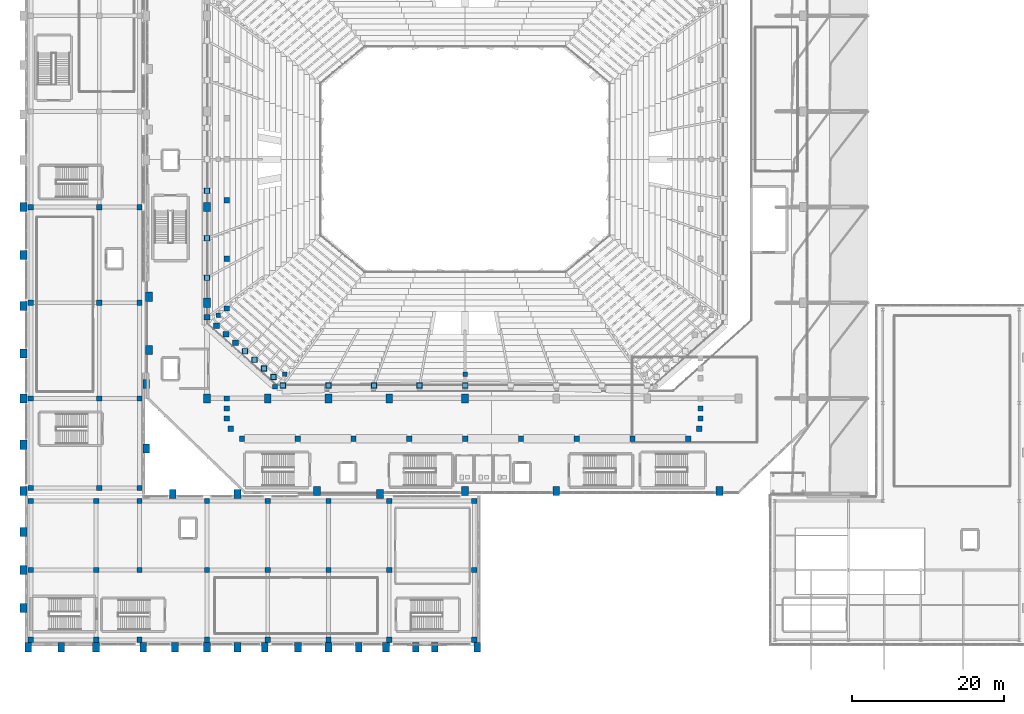
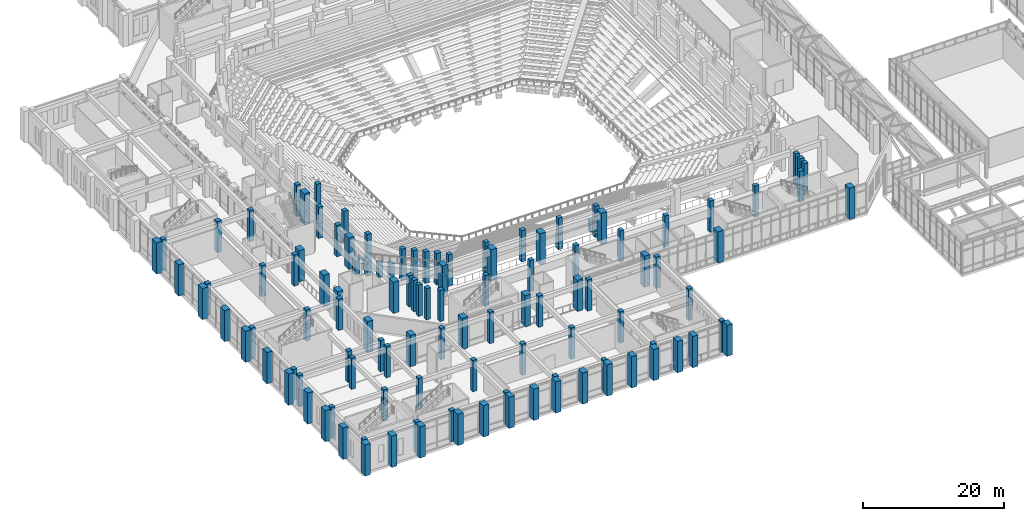
# One storey, part 1 of 159: 130 columns.
"""IFC4 building model written with IfcOpenShell, lengths in metres."""

from ifc_helpers import new_model, si_unit, derived_unit, direction, frame, origin, origin_2d, place, context, subcontext, project, spatial, rectangle, extrude, material, material_profile, profile_set, type_object, element, save


model = new_model("IFC4")

# Units and contexts
model_context = context("Model", 3, precision=1e-05, world=origin(), true_north=direction((0.0, 1.0)))
body_context = subcontext(model_context, "Body", "Model", "MODEL_VIEW")
ifc_project = project(units=[si_unit("LENGTHUNIT", "METRE"), si_unit("AREAUNIT", "SQUARE_METRE"), si_unit("VOLUMEUNIT", "CUBIC_METRE"), si_unit("PLANEANGLEUNIT", "RADIAN"), si_unit("MASSUNIT", "GRAM", prefix="KILO"), derived_unit("THERMALTRANSMITTANCEUNIT", [(si_unit("MASSUNIT", "GRAM", prefix="KILO"), 1), (si_unit("TIMEUNIT", "SECOND"), -3), (si_unit("THERMODYNAMICTEMPERATUREUNIT", "KELVIN"), -1)])], contexts=[model_context])

# Site, building, storey
site_placement = place(None, origin())
site = spatial("IfcSite", under=ifc_project, at=site_placement, CompositionType="ELEMENT")
building_placement = place(site_placement, origin())
building = spatial("IfcBuilding", under=site, at=building_placement, Name="Valcora Ridge Arena", CompositionType="ELEMENT")
storey_placement = place(building_placement, frame((0.0, 0.0, 6.0)))
storey = spatial("IfcBuildingStorey", under=building, at=storey_placement, Name="L01", CompositionType="ELEMENT", Elevation=6.0)

# Columns
ifc_material_1 = material(Name="Bush-hammered Andean travertine architectural concrete C45/55", Category="masonry")
ifc_material_profile_1 = material_profile(ifc_material_1, rectangle(XDim=0.89990234375, YDim=1.199951171875, at=origin_2d()), Name="RC 900x1200")
ifc_profile_set_1 = profile_set([ifc_material_profile_1], Name="Bush-hammered Andean travertine architectural concrete C45/55")
column_type_1 = type_object("IfcColumnType", Name="TY-COLUMN-C-BUTT-1200", PredefinedType="PILASTER", material=ifc_profile_set_1)
for number, where, z_axis, x_axis, name in (
    (1, (38.5, 20.39990234375, 0.0), (0.0, 0.0, 1.0), (1.0, 0.0, 0.0), "C-BUTT-1200 COL-C-BUTT-1200-0003"),
    (2, (58.0, 20.39990234375, 0.0), (0.0, 0.0, 1.0), (1.0, 0.0, 0.0), "C-BUTT-1200 COL-C-BUTT-1200-0007"),
    (3, (70.0, 20.39990234375, 0.0), (0.0, 0.0, 1.0), (1.0, 0.0, 0.0), "C-BUTT-1200 COL-C-BUTT-1200-0011"),
    (4, (91.5, 20.39990234375, 0.0), (0.0, 0.0, 1.0), (1.0, 0.0, 0.0), "C-BUTT-1200 COL-C-BUTT-1200-0015"),
    (5, (16.35009765625, 39.0, 0.0), (0.0, 0.0, 1.0), (1.0, 0.0, 0.0), "C-BUTT-1200 COL-C-BUTT-1200-0035"),
    (6, (16.35009765625, 46.0, 0.0), (0.0, 0.0, 1.0), (1.0, 0.0, 0.0), "C-BUTT-1200 COL-C-BUTT-1200-0039"),
    (7, (0.449951171875, -0.179931640625, 0.0), (0.0, 0.0, 1.0), (1.0, 0.0, 0.0), "C-BUTT-1200 COL-C-BUTT-1200-0054"),
    (8, (9.39990234375, -0.179931640625, 0.0), (0.0, 0.0, 1.0), (1.0, 0.0, 0.0), "C-BUTT-1200 COL-C-BUTT-1200-0057"),
    (9, (15.60009765625, -0.179931640625, 0.0), (0.0, 0.0, 1.0), (1.0, 0.0, 0.0), "C-BUTT-1200 COL-C-BUTT-1200-0060"),
    (10, (24.0, -0.179931640625, 0.0), (0.0, 0.0, 1.0), (1.0, 0.0, 0.0), "C-BUTT-1200 COL-C-BUTT-1200-0063"),
    (11, (31.60009765625, -0.179931640625, 0.0), (0.0, 0.0, 1.0), (1.0, 0.0, 0.0), "C-BUTT-1200 COL-C-BUTT-1200-0066"),
    (12, (40.0, -0.179931640625, 0.0), (0.0, 0.0, 1.0), (1.0, 0.0, 0.0), "C-BUTT-1200 COL-C-BUTT-1200-0069"),
    (13, (47.60009765625, -0.179931640625, 0.0), (0.0, 0.0, 1.0), (1.0, 0.0, 0.0), "C-BUTT-1200 COL-C-BUTT-1200-0072"),
    (14, (54.0, -0.179931640625, 0.0), (0.0, 0.0, 1.0), (1.0, 0.0, 0.0), "C-BUTT-1200 COL-C-BUTT-1200-0075"),
    (15, (59.60009765625, -0.179931640625, 0.0), (0.0, 0.0, 1.0), (1.0, 0.0, 0.0), "C-BUTT-1200 COL-C-BUTT-1200-0078"),
    (16, (-0.179931640625, 10.0, 0.0), (0.0, 0.0, 1.0), (1.0, 0.0, 0.0), "C-BUTT-1200 COL-C-BUTT-1200-0081"),
    (17, (-0.179931640625, 20.39990234375, 0.0), (0.0, 0.0, 1.0), (1.0, 0.0, 0.0), "C-BUTT-1200 COL-C-BUTT-1200-0084"),
    (18, (-0.179931640625, 32.60009765625, 0.0), (0.0, 0.0, 1.0), (1.0, 0.0, 0.0), "C-BUTT-1200 COL-C-BUTT-1200-0087"),
    (19, (-0.179931640625, 44.800048828125, 0.0), (0.0, 0.0, 1.0), (1.0, 0.0, 0.0), "C-BUTT-1200 COL-C-BUTT-1200-0090"),
    (20, (-0.179931640625, 57.800048828125, 0.0), (0.0, 0.0, 1.0), (1.0, 0.0, 0.0), "C-BUTT-1200 COL-C-BUTT-1200-0093"),
    (21, (19.5, 20.0, 0.0), (0.0, 0.0, 1.0), (1.0, 0.0, 0.0), "C-BUTT-1200 COL-C-BUTT-1200-0105"),
    (22, (28.0, 20.0, 0.0), (0.0, 0.0, 1.0), (1.0, 0.0, 0.0), "C-BUTT-1200 COL-C-BUTT-1200-0108"),
    (23, (46.800048828125, 20.0, 0.0), (0.0, 0.0, 1.0), (1.0, 0.0, 0.0), "C-BUTT-1200 COL-C-BUTT-1200-0111"),
    (24, (16.0, 26.0, 0.0), (0.0, 0.0, 1.0), (1.0, 0.0, 0.0), "C-BUTT-1200 COL-C-BUTT-1200-0114"),
    (25, (16.0, 34.5, 0.0), (0.0, 0.0, 1.0), (1.0, 0.0, 0.0), "C-BUTT-1200 COL-C-BUTT-1200-0117"),
    (26, (4.800048828125, -0.179931640625, 0.0), (0.0, 0.0, 1.0), (1.0, 0.0, 0.0), "C-BUTT-1200 COL-C-BUTT-1200-0390"),
    (27, (19.800048828125, -0.179931640625, 0.0), (0.0, 0.0, 1.0), (1.0, 0.0, 0.0), "C-BUTT-1200 COL-C-BUTT-1200-0393"),
    (28, (28.0, -0.179931640625, 0.0), (0.0, 0.0, 1.0), (1.0, 0.0, 0.0), "C-BUTT-1200 COL-C-BUTT-1200-0396"),
    (29, (36.0, -0.179931640625, 0.0), (0.0, 0.0, 1.0), (1.0, 0.0, 0.0), "C-BUTT-1200 COL-C-BUTT-1200-0399"),
    (30, (44.0, -0.179931640625, 0.0), (0.0, 0.0, 1.0), (1.0, 0.0, 0.0), "C-BUTT-1200 COL-C-BUTT-1200-0402"),
    (31, (51.5, -0.179931640625, 0.0), (0.0, 0.0, 1.0), (1.0, 0.0, 0.0), "C-BUTT-1200 COL-C-BUTT-1200-0405"),
    (32, (-0.179931640625, 5.0, 0.0), (0.0, 0.0, 1.0), (1.0, 0.0, 0.0), "C-BUTT-1200 COL-C-BUTT-1200-0408"),
    (33, (-0.179931640625, 15.0, 0.0), (0.0, 0.0, 1.0), (1.0, 0.0, 0.0), "C-BUTT-1200 COL-C-BUTT-1200-0411"),
    (34, (-0.179931640625, 26.5, 0.0), (0.0, 0.0, 1.0), (1.0, 0.0, 0.0), "C-BUTT-1200 COL-C-BUTT-1200-0414"),
    (35, (-0.179931640625, 38.5, 0.0), (0.0, 0.0, 1.0), (1.0, 0.0, 0.0), "C-BUTT-1200 COL-C-BUTT-1200-0417"),
    (36, (-0.179931640625, 51.5, 0.0), (0.0, 0.0, 1.0), (1.0, 0.0, 0.0), "C-BUTT-1200 COL-C-BUTT-1200-0420"),
):
    element("IfcColumn", number, at=place(storey_placement, frame(where, z_axis=z_axis, x_axis=x_axis)), inside=storey, type_object=column_type_1, Name=name, PredefinedType="PILASTER", context=body_context, shape_type="SweptSolid", body=[
        extrude(rectangle(XDim=0.89990234375, YDim=1.199951171875, at=origin_2d()), origin(), (0.0, 0.0, 1.0), 5.39990234375),
    ])
ifc_material_2 = material(Name="Concrete C40/50", Category="concrete")
ifc_material_profile_2 = material_profile(ifc_material_2, rectangle(XDim=0.699951171875, YDim=0.699951171875, at=origin_2d()), Name="RC 700x700")
ifc_profile_set_2 = profile_set([ifc_material_profile_2], Name="Concrete C40/50")
column_type_2 = type_object("IfcColumnType", Name="TY-COLUMN-C-RC700", PredefinedType="COLUMN", material=ifc_profile_set_2)
for number, where, z_axis, x_axis, name in (
    (37, (0.800048828125, 0.800048828125, 0.0), (0.0, 0.0, 1.0), (1.0, 0.0, 0.0), "C-RC700 COL-C-RC700-0030"),
    (38, (0.800048828125, 10.0, 0.0), (0.0, 0.0, 1.0), (1.0, 0.0, 0.0), "C-RC700 COL-C-RC700-0032"),
    (39, (0.800048828125, 19.10009765625, 0.0), (0.0, 0.0, 1.0), (1.0, 0.0, 0.0), "C-RC700 COL-C-RC700-0034"),
    (40, (9.39990234375, 0.800048828125, 0.0), (0.0, 0.0, 1.0), (1.0, 0.0, 0.0), "C-RC700 COL-C-RC700-0036"),
    (41, (9.39990234375, 10.0, 0.0), (0.0, 0.0, 1.0), (1.0, 0.0, 0.0), "C-RC700 COL-C-RC700-0038"),
    (42, (9.39990234375, 19.10009765625, 0.0), (0.0, 0.0, 1.0), (1.0, 0.0, 0.0), "C-RC700 COL-C-RC700-0040"),
    (43, (15.10009765625, 0.800048828125, 0.0), (0.0, 0.0, 1.0), (1.0, 0.0, 0.0), "C-RC700 COL-C-RC700-0042"),
    (44, (15.10009765625, 10.0, 0.0), (0.0, 0.0, 1.0), (1.0, 0.0, 0.0), "C-RC700 COL-C-RC700-0044"),
    (45, (15.10009765625, 19.10009765625, 0.0), (0.0, 0.0, 1.0), (1.0, 0.0, 0.0), "C-RC700 COL-C-RC700-0046"),
    (46, (24.0, 0.800048828125, 0.0), (0.0, 0.0, 1.0), (1.0, 0.0, 0.0), "C-RC700 COL-C-RC700-0048"),
    (47, (24.0, 10.0, 0.0), (0.0, 0.0, 1.0), (1.0, 0.0, 0.0), "C-RC700 COL-C-RC700-0050"),
    (48, (24.0, 19.10009765625, 0.0), (0.0, 0.0, 1.0), (1.0, 0.0, 0.0), "C-RC700 COL-C-RC700-0052"),
    (49, (32.0, 0.800048828125, 0.0), (0.0, 0.0, 1.0), (1.0, 0.0, 0.0), "C-RC700 COL-C-RC700-0054"),
    (50, (32.0, 10.0, 0.0), (0.0, 0.0, 1.0), (1.0, 0.0, 0.0), "C-RC700 COL-C-RC700-0056"),
    (51, (32.0, 19.10009765625, 0.0), (0.0, 0.0, 1.0), (1.0, 0.0, 0.0), "C-RC700 COL-C-RC700-0058"),
    (52, (40.0, 0.800048828125, 0.0), (0.0, 0.0, 1.0), (1.0, 0.0, 0.0), "C-RC700 COL-C-RC700-0060"),
    (53, (40.0, 10.0, 0.0), (0.0, 0.0, 1.0), (1.0, 0.0, 0.0), "C-RC700 COL-C-RC700-0062"),
    (54, (40.0, 19.10009765625, 0.0), (0.0, 0.0, 1.0), (1.0, 0.0, 0.0), "C-RC700 COL-C-RC700-0064"),
    (55, (48.0, 0.800048828125, 0.0), (0.0, 0.0, 1.0), (1.0, 0.0, 0.0), "C-RC700 COL-C-RC700-0066"),
    (56, (48.0, 10.0, 0.0), (0.0, 0.0, 1.0), (1.0, 0.0, 0.0), "C-RC700 COL-C-RC700-0068"),
    (57, (48.0, 19.10009765625, 0.0), (0.0, 0.0, 1.0), (1.0, 0.0, 0.0), "C-RC700 COL-C-RC700-0070"),
    (58, (59.199951171875, 0.800048828125, 0.0), (0.0, 0.0, 1.0), (1.0, 0.0, 0.0), "C-RC700 COL-C-RC700-0072"),
    (59, (59.199951171875, 10.0, 0.0), (0.0, 0.0, 1.0), (1.0, 0.0, 0.0), "C-RC700 COL-C-RC700-0074"),
    (60, (59.199951171875, 19.10009765625, 0.0), (0.0, 0.0, 1.0), (1.0, 0.0, 0.0), "C-RC700 COL-C-RC700-0076"),
    (61, (0.800048828125, 20.800048828125, 0.0), (0.0, 0.0, 1.0), (1.0, 0.0, 0.0), "C-RC700 COL-C-RC700-0078"),
    (62, (0.800048828125, 32.60009765625, 0.0), (0.0, 0.0, 1.0), (1.0, 0.0, 0.0), "C-RC700 COL-C-RC700-0080"),
    (63, (0.800048828125, 45.199951171875, 0.0), (0.0, 0.0, 1.0), (1.0, 0.0, 0.0), "C-RC700 COL-C-RC700-0082"),
    (64, (0.800048828125, 57.800048828125, 0.0), (0.0, 0.0, 1.0), (1.0, 0.0, 0.0), "C-RC700 COL-C-RC700-0084"),
    (65, (9.800048828125, 20.800048828125, 0.0), (0.0, 0.0, 1.0), (1.0, 0.0, 0.0), "C-RC700 COL-C-RC700-0092"),
    (66, (9.800048828125, 32.60009765625, 0.0), (0.0, 0.0, 1.0), (1.0, 0.0, 0.0), "C-RC700 COL-C-RC700-0094"),
    (67, (9.800048828125, 45.199951171875, 0.0), (0.0, 0.0, 1.0), (1.0, 0.0, 0.0), "C-RC700 COL-C-RC700-0096"),
    (68, (9.800048828125, 57.800048828125, 0.0), (0.0, 0.0, 1.0), (1.0, 0.0, 0.0), "C-RC700 COL-C-RC700-0098"),
    (69, (15.10009765625, 20.800048828125, 0.0), (0.0, 0.0, 1.0), (1.0, 0.0, 0.0), "C-RC700 COL-C-RC700-0106"),
    (70, (15.10009765625, 32.60009765625, 0.0), (0.0, 0.0, 1.0), (1.0, 0.0, 0.0), "C-RC700 COL-C-RC700-0108"),
    (71, (15.10009765625, 45.199951171875, 0.0), (0.0, 0.0, 1.0), (1.0, 0.0, 0.0), "C-RC700 COL-C-RC700-0110"),
    (72, (15.10009765625, 57.800048828125, 0.0), (0.0, 0.0, 1.0), (1.0, 0.0, 0.0), "C-RC700 COL-C-RC700-0112"),
):
    element("IfcColumn", number, at=place(storey_placement, frame(where, z_axis=z_axis, x_axis=x_axis)), inside=storey, type_object=column_type_2, Name=name, PredefinedType="COLUMN", context=body_context, shape_type="SweptSolid", body=[
        extrude(rectangle(XDim=0.699951171875, YDim=0.699951171875, at=origin_2d()), origin(), (0.0, 0.0, 1.0), 5.39990234375),
    ])
ifc_material_profile_3 = material_profile(ifc_material_2, rectangle(XDim=0.89990234375, YDim=1.199951171875, at=origin_2d()), Name="RC 900x1200")
ifc_profile_set_3 = profile_set([ifc_material_profile_3], Name="Concrete C40/50")
column_type_3 = type_object("IfcColumnType", Name="TY-COLUMN-C-RC900", PredefinedType="COLUMN", material=ifc_profile_set_3)
for number, where, z_axis, x_axis, name in (
    (73, (24.0, 32.60009765625, 0.0), (0.0, 0.0, 1.0), (1.0, 0.0, 0.0), "C-RC900 COL-C-RC900-0001"),
    (74, (24.0, 45.199951171875, 0.0), (0.0, 0.0, 1.0), (1.0, 0.0, 0.0), "C-RC900 COL-C-RC900-0003"),
    (75, (24.0, 57.800048828125, 0.0), (0.0, 0.0, 1.0), (1.0, 0.0, 0.0), "C-RC900 COL-C-RC900-0005"),
    (76, (32.0, 32.60009765625, 0.0), (0.0, 0.0, 1.0), (1.0, 0.0, 0.0), "C-RC900 COL-C-RC900-0013"),
    (77, (40.0, 32.60009765625, 0.0), (0.0, 0.0, 1.0), (1.0, 0.0, 0.0), "C-RC900 COL-C-RC900-0017"),
    (78, (48.0, 32.60009765625, 0.0), (0.0, 0.0, 1.0), (1.0, 0.0, 0.0), "C-RC900 COL-C-RC900-0021"),
    (79, (58.0, 32.60009765625, 0.0), (0.0, 0.0, 1.0), (1.0, 0.0, 0.0), "C-RC900 COL-C-RC900-0025"),
):
    element("IfcColumn", number, at=place(storey_placement, frame(where, z_axis=z_axis, x_axis=x_axis)), inside=storey, type_object=column_type_3, Name=name, PredefinedType="COLUMN", context=body_context, shape_type="SweptSolid", body=[
        extrude(rectangle(XDim=0.89990234375, YDim=1.199951171875, at=origin_2d()), origin(), (0.0, 0.0, 1.0), 5.39990234375),
    ])
ifc_material_profile_4 = material_profile(ifc_material_2, rectangle(XDim=0.60009765625, YDim=0.60009765625, at=origin_2d()), Name="RC 600x600")
ifc_profile_set_4 = profile_set([ifc_material_profile_4], Name="Concrete C40/50")
column_type_4 = type_object("IfcColumnType", Name="TY-COLUMN-C-RKR600I", PredefinedType="COLUMN", material=ifc_profile_set_4)
for number, where, z_axis, x_axis, name in (
    (80, (34.27001953125, 35.800048828125, 0.0), (0.0, 0.0, 1.0), (1.0, 0.0, 0.0), "C-RKR600I COL-R2-C-RKR600I-0034"),
    (81, (58.0, 35.800048828125, 0.0), (0.0, 0.0, 1.0), (1.0, 0.0, 0.0), "C-RKR600I COL-R2-C-RKR600I-0036"),
    (82, (25.5, 43.570068359375, 0.0), (0.0, 0.0, 1.0), (1.0, 0.0, 0.0), "C-RKR600I COL-R2-C-RKR600I-0056"),
):
    element("IfcColumn", number, at=place(storey_placement, frame(where, z_axis=z_axis, x_axis=x_axis)), inside=storey, type_object=column_type_4, Name=name, PredefinedType="COLUMN", context=body_context, shape_type="SweptSolid", body=[
        extrude(rectangle(XDim=0.60009765625, YDim=0.60009765625, at=origin_2d()), origin(), (0.0, 0.0, 1.0), 1.89501953125),
    ])
column_placement = place(storey_placement, frame((32.959716796875, 34.1201171875, 0.0), z_axis=(0.0, 0.0, 1.0), x_axis=(1.0, 0.0, 0.0)))
element("IfcColumn", 83, at=column_placement, inside=storey, type_object=column_type_4, Name="C-RKR600I COL-R2-C-RKR600I-0058", PredefinedType="COLUMN", context=body_context, shape_type="SweptSolid", body=[
    extrude(rectangle(XDim=0.60009765625, YDim=0.60009765625, at=origin_2d()), origin(), (0.0, 0.0, 1.0), 2.159912109375),
])
ifc_material_profile_5 = material_profile(ifc_material_2, rectangle(XDim=0.75, YDim=0.75, at=origin_2d()), Name="RC 750x750")
ifc_profile_set_5 = profile_set([ifc_material_profile_5], Name="Concrete C40/50")
column_type_5 = type_object("IfcColumnType", Name="TY-COLUMN-C-RKR750U", PredefinedType="COLUMN", material=ifc_profile_set_5)
for number, where, z_axis, x_axis, name in (
    (84, (34.0, 34.300048828125, 0.0), (0.0, 0.0, 1.0), (1.0, 0.0, 0.0), "C-RKR750U COL-RK-C-RKR750U-0001"),
    (85, (40.0, 34.300048828125, 0.0), (0.0, 0.0, 1.0), (1.0, 0.0, 0.0), "C-RKR750U COL-RK-C-RKR750U-0002"),
    (86, (46.0, 34.300048828125, 0.0), (0.0, 0.0, 1.0), (1.0, 0.0, 0.0), "C-RKR750U COL-RK-C-RKR750U-0003"),
    (87, (52.0, 34.300048828125, 0.0), (0.0, 0.0, 1.0), (1.0, 0.0, 0.0), "C-RKR750U COL-RK-C-RKR750U-0004"),
    (88, (58.0, 34.300048828125, 0.0), (0.0, 0.0, 1.0), (1.0, 0.0, 0.0), "C-RKR750U COL-RK-C-RKR750U-0005"),
    (89, (24.0, 53.699951171875, 0.0), (0.0, 0.0, 1.0), (1.0, 0.0, 0.0), "C-RKR750U COL-RK-C-RKR750U-0051"),
    (90, (24.0, 48.5, 0.0), (0.0, 0.0, 1.0), (1.0, 0.0, 0.0), "C-RKR750U COL-RK-C-RKR750U-0052"),
    (91, (24.0, 43.300048828125, 0.0), (0.0, 0.0, 1.0), (1.0, 0.0, 0.0), "C-RKR750U COL-RK-C-RKR750U-0053"),
    (92, (25.25, 42.175048828125, 0.0), (0.0, 0.0, 1.0), (1.0, 0.0, 0.0), "C-RKR750U COL-RK-C-RKR750U-0054"),
    (93, (26.5, 41.050048828125, 0.0), (0.0, 0.0, 1.0), (1.0, 0.0, 0.0), "C-RKR750U COL-RK-C-RKR750U-0055"),
    (94, (27.75, 39.925048828125, 0.0), (0.0, 0.0, 1.0), (1.0, 0.0, 0.0), "C-RKR750U COL-RK-C-RKR750U-0056"),
    (95, (29.0, 38.800048828125, 0.0), (0.0, 0.0, 1.0), (1.0, 0.0, 0.0), "C-RKR750U COL-RK-C-RKR750U-0057"),
    (96, (30.25, 37.675048828125, 0.0), (0.0, 0.0, 1.0), (1.0, 0.0, 0.0), "C-RKR750U COL-RK-C-RKR750U-0058"),
    (97, (31.5, 36.550048828125, 0.0), (0.0, 0.0, 1.0), (1.0, 0.0, 0.0), "C-RKR750U COL-RK-C-RKR750U-0059"),
    (98, (32.75, 35.425048828125, 0.0), (0.0, 0.0, 1.0), (1.0, 0.0, 0.0), "C-RKR750U COL-RK-C-RKR750U-0060"),
    (99, (24.0, 59.949951171875, 0.0), (0.0, 0.0, 1.0), (1.0, 0.0, 0.0), "C-RKR750U COL-RKN-C-RKR750U-0004"),
):
    element("IfcColumn", number, at=place(storey_placement, frame(where, z_axis=z_axis, x_axis=x_axis)), inside=storey, type_object=column_type_5, Name=name, PredefinedType="COLUMN", context=body_context, shape_type="SweptSolid", body=[
        extrude(rectangle(XDim=0.75, YDim=0.75, at=origin_2d()), origin(), (0.0, 0.0, 1.0), 2.550048828125),
    ])
ifc_material_profile_6 = material_profile(ifc_material_2, rectangle(XDim=0.699951171875, YDim=0.699951171875, at=origin_2d()), Name="RC 700x700")
ifc_profile_set_6 = profile_set([ifc_material_profile_6], Name="Concrete C40/50")
column_type_6 = type_object("IfcColumnType", Name="TY-COLUMN-C-RKRU700B", PredefinedType="COLUMN", material=ifc_profile_set_6)
for number, where, z_axis, x_axis, name in (
    (100, (28.60009765625, 27.300048828125, 0.0), (0.0, 0.0, 1.0), (1.0, 0.0, 0.0), "C-RKRU700B COL-RK-C-RKRU700B-0003"),
    (101, (35.949951171875, 27.300048828125, 0.0), (0.0, 0.0, 1.0), (1.0, 0.0, 0.0), "C-RKRU700B COL-RK-C-RKRU700B-0008"),
    (102, (43.300048828125, 27.300048828125, 0.0), (0.0, 0.0, 1.0), (1.0, 0.0, 0.0), "C-RKRU700B COL-RK-C-RKRU700B-0013"),
    (103, (50.64990234375, 27.300048828125, 0.0), (0.0, 0.0, 1.0), (1.0, 0.0, 0.0), "C-RKRU700B COL-RK-C-RKRU700B-0018"),
    (104, (58.0, 27.300048828125, 0.0), (0.0, 0.0, 1.0), (1.0, 0.0, 0.0), "C-RKRU700B COL-RK-C-RKRU700B-0023"),
    (105, (65.35009765625, 27.300048828125, 0.0), (0.0, 0.0, 1.0), (1.0, 0.0, 0.0), "C-RKRU700B COL-RK-C-RKRU700B-0028"),
    (106, (72.699951171875, 27.300048828125, 0.0), (0.0, 0.0, 1.0), (1.0, 0.0, 0.0), "C-RKRU700B COL-RK-C-RKRU700B-0033"),
    (107, (80.050048828125, 27.300048828125, 0.0), (0.0, 0.0, 1.0), (1.0, 0.0, 0.0), "C-RKRU700B COL-RK-C-RKRU700B-0038"),
    (108, (87.39990234375, 27.300048828125, 0.0), (0.0, 0.0, 1.0), (1.0, 0.0, 0.0), "C-RKRU700B COL-RK-C-RKRU700B-0043"),
    (109, (88.85009765625, 28.625, 0.0), (0.0, 0.0, 1.0), (1.0, 0.0, 0.0), "C-RKRU700B COL-RK-C-RKRU700B-0048"),
    (110, (89.0, 29.949951171875, 0.0), (0.0, 0.0, 1.0), (1.0, 0.0, 0.0), "C-RKRU700B COL-RK-C-RKRU700B-0053"),
    (111, (89.0, 31.27490234375, 0.0), (0.0, 0.0, 1.0), (1.0, 0.0, 0.0), "C-RKRU700B COL-RK-C-RKRU700B-0058"),
    (112, (26.60009765625, 51.0, 0.0), (0.0, 0.0, 1.0), (1.0, 0.0, 0.0), "C-RKRU700B COL-RK-C-RKRU700B-0238"),
    (113, (26.60009765625, 44.449951171875, 0.0), (0.0, 0.0, 1.0), (1.0, 0.0, 0.0), "C-RKRU700B COL-RK-C-RKRU700B-0243"),
    (114, (26.60009765625, 32.60009765625, 0.0), (0.0, 0.0, 1.0), (1.0, 0.0, 0.0), "C-RKRU700B COL-RK-C-RKRU700B-0248"),
    (115, (26.60009765625, 31.27490234375, 0.0), (0.0, 0.0, 1.0), (1.0, 0.0, 0.0), "C-RKRU700B COL-RK-C-RKRU700B-0253"),
    (116, (26.60009765625, 29.949951171875, 0.0), (0.0, 0.0, 1.0), (1.0, 0.0, 0.0), "C-RKRU700B COL-RK-C-RKRU700B-0258"),
    (117, (27.14990234375, 28.625, 0.0), (0.0, 0.0, 1.0), (1.0, 0.0, 0.0), "C-RKRU700B COL-RK-C-RKRU700B-0263"),
    (118, (26.60009765625, 58.7099609375, 0.0), (0.0, 0.0, 1.0), (1.0, 0.0, 0.0), "C-RKRU700B COL-RKN-C-RKRU700B-0008"),
):
    element("IfcColumn", number, at=place(storey_placement, frame(where, z_axis=z_axis, x_axis=x_axis)), inside=storey, type_object=column_type_6, Name=name, PredefinedType="COLUMN", context=body_context, shape_type="SweptSolid", body=[
        extrude(rectangle(XDim=0.699951171875, YDim=0.699951171875, at=origin_2d()), origin(), (0.0, 0.0, 1.0), 5.39990234375),
    ])
ifc_material_profile_7 = material_profile(ifc_material_2, rectangle(XDim=0.699951171875, YDim=0.699951171875, at=origin_2d()), Name="RC 700x700")
ifc_profile_set_7 = profile_set([ifc_material_profile_7], Name="Concrete C40/50")
column_type_7 = type_object("IfcColumnType", Name="TY-COLUMN-C-RKRU700M", PredefinedType="COLUMN", material=ifc_profile_set_7)
for number, where, z_axis, x_axis, name in (
    (119, (34.0, 34.300048828125, 2.550048828125), (0.0, 0.0, 1.0), (1.0, 0.0, 0.0), "C-RKRU700M COL-RK-C-RKRU700M-0001"),
    (120, (40.0, 34.300048828125, 2.550048828125), (0.0, 0.0, 1.0), (1.0, 0.0, 0.0), "C-RKRU700M COL-RK-C-RKRU700M-0002"),
    (121, (46.0, 34.300048828125, 2.550048828125), (0.0, 0.0, 1.0), (1.0, 0.0, 0.0), "C-RKRU700M COL-RK-C-RKRU700M-0003"),
    (122, (52.0, 34.300048828125, 2.550048828125), (0.0, 0.0, 1.0), (1.0, 0.0, 0.0), "C-RKRU700M COL-RK-C-RKRU700M-0004"),
    (123, (58.0, 34.300048828125, 2.550048828125), (0.0, 0.0, 1.0), (1.0, 0.0, 0.0), "C-RKRU700M COL-RK-C-RKRU700M-0005"),
    (124, (24.0, 53.699951171875, 2.550048828125), (0.0, 0.0, 1.0), (1.0, 0.0, 0.0), "C-RKRU700M COL-RK-C-RKRU700M-0048"),
    (125, (24.0, 48.5, 2.550048828125), (0.0, 0.0, 1.0), (1.0, 0.0, 0.0), "C-RKRU700M COL-RK-C-RKRU700M-0049"),
    (126, (29.0, 38.800048828125, 2.550048828125), (0.0, 0.0, 1.0), (1.0, 0.0, 0.0), "C-RKRU700M COL-RK-C-RKRU700M-0050"),
    (127, (30.25, 37.675048828125, 2.550048828125), (0.0, 0.0, 1.0), (1.0, 0.0, 0.0), "C-RKRU700M COL-RK-C-RKRU700M-0051"),
    (128, (31.5, 36.550048828125, 2.550048828125), (0.0, 0.0, 1.0), (1.0, 0.0, 0.0), "C-RKRU700M COL-RK-C-RKRU700M-0052"),
    (129, (32.75, 35.425048828125, 2.550048828125), (0.0, 0.0, 1.0), (1.0, 0.0, 0.0), "C-RKRU700M COL-RK-C-RKRU700M-0053"),
    (130, (24.0, 59.949951171875, 2.550048828125), (0.0, 0.0, 1.0), (1.0, 0.0, 0.0), "C-RKRU700M COL-RKN-C-RKRU700M-0002"),
):
    element("IfcColumn", number, at=place(storey_placement, frame(where, z_axis=z_axis, x_axis=x_axis)), inside=storey, type_object=column_type_7, Name=name, PredefinedType="COLUMN", context=body_context, shape_type="SweptSolid", body=[
        extrude(rectangle(XDim=0.699951171875, YDim=0.699951171875, at=origin_2d()), origin(), (0.0, 0.0, 1.0), 2.849853515625),
    ])

save(model, "model.ifc")
